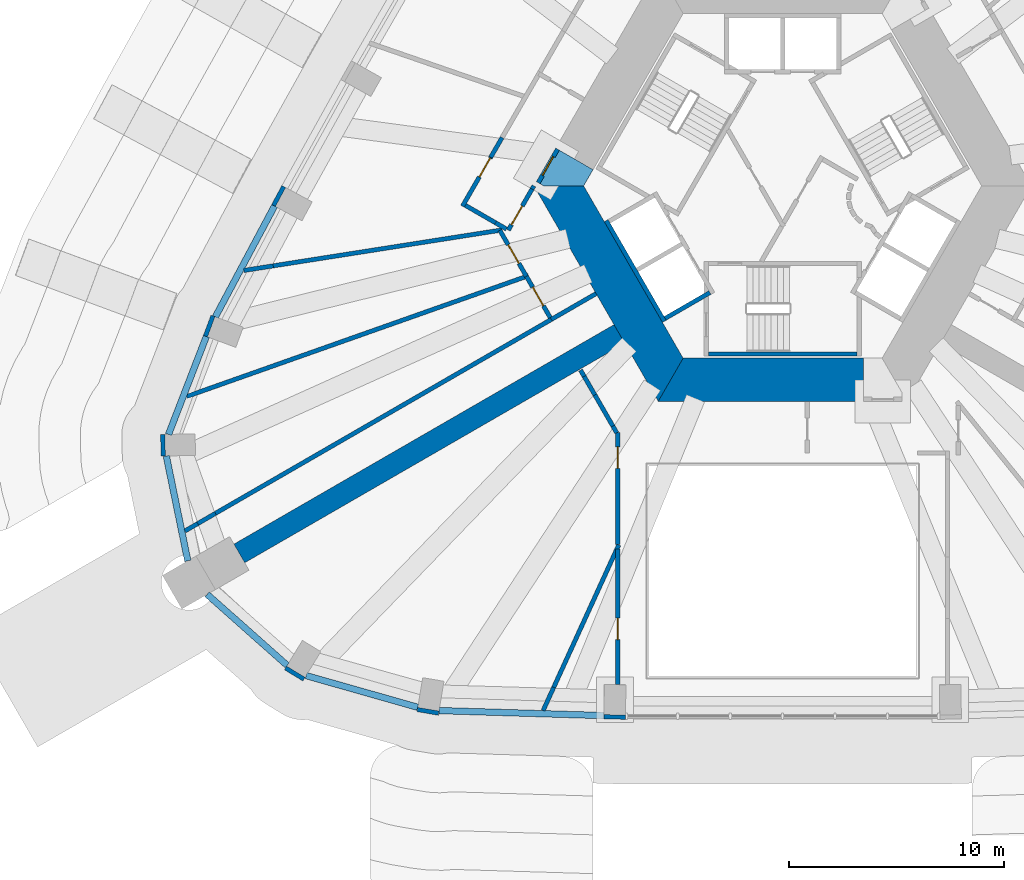
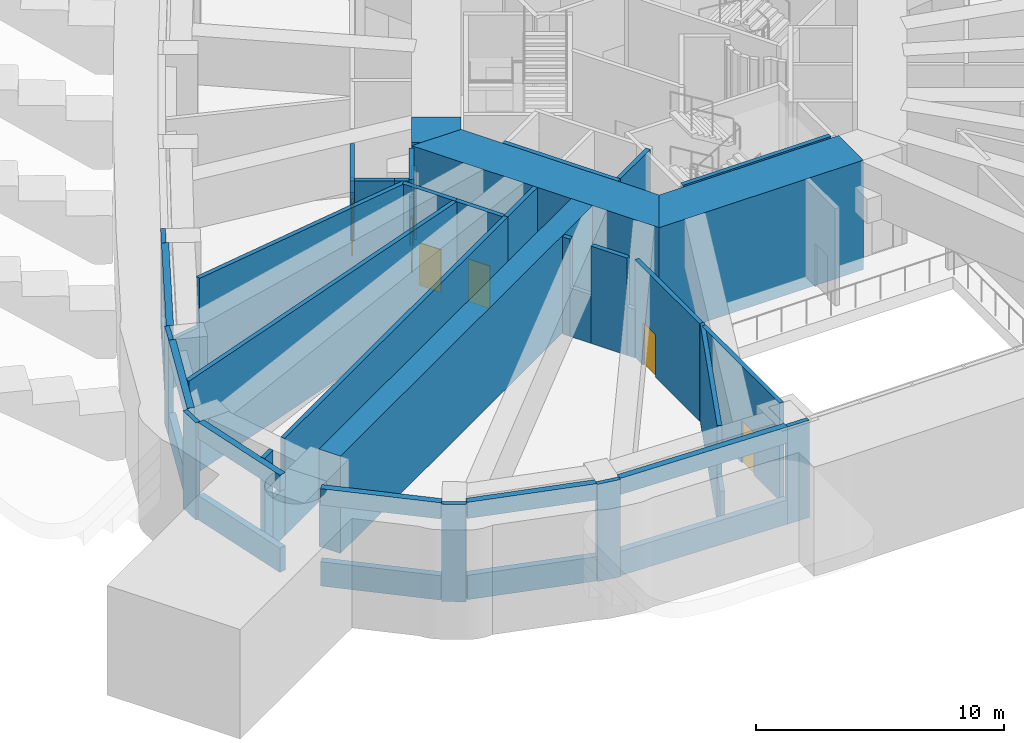
# One storey, part 4 of 16: 49 walls, 7 doors, 7 openings.
"""IFC4 building model written with IfcOpenShell, lengths in metres."""

from ifc_helpers import new_model, si_unit, direction, frame, frame_2d, origin, place, context, subcontext, project, spatial, polyline, rectangle, outline, extrude, material, layer, layer_set, type_object, element, fill, save


model = new_model("IFC4")

# Units and contexts
model_context = context("Model", 3, precision=1e-05, world=origin(), true_north=direction((0.0, 1.0)))
body_context = subcontext(model_context, "Body", "Model", "MODEL_VIEW")
ifc_project = project(units=[si_unit("LENGTHUNIT", "METRE"), si_unit("AREAUNIT", "SQUARE_METRE"), si_unit("VOLUMEUNIT", "CUBIC_METRE"), si_unit("PLANEANGLEUNIT", "RADIAN"), si_unit("MASSUNIT", "GRAM", prefix="KILO")], contexts=[model_context])

# Site, building, storey
site_placement = place(None, origin())
site = spatial("IfcSite", under=ifc_project, at=site_placement, CompositionType="ELEMENT")
building_placement = place(site_placement, origin())
building = spatial("IfcBuilding", under=site, at=building_placement, Name="Entoto Arch Interchange Tower", CompositionType="ELEMENT")
storey_placement = place(building_placement, frame((0.0, 0.0, 281.0)))
storey = spatial("IfcBuildingStorey", under=building, at=storey_placement, Name="L65", CompositionType="ELEMENT", Elevation=281.0)

# Wall, opening, door
ifc_material_1 = material(Name="Reinforced concrete C40/50", Category="concrete")
ifc_layer_1 = layer(ifc_material_1, 0.199951171875)
ifc_layer_set_1 = layer_set([ifc_layer_1], Name="Reinforced concrete C40/50")
wall_type_1 = type_object("IfcWallType", Name="CORE GAP INFILL WALL", PredefinedType="PARTITIONING", material=ifc_layer_set_1)
wall_1_placement = place(storey_placement, frame((-10.448974609375, 4.202880859375, 0.0), z_axis=(0.0, 0.0, 1.0), x_axis=(-0.499914839587, -0.866074565589, 0.0)))
wall_1 = element("IfcWall", 1, at=wall_1_placement, inside=storey, type_object=wall_type_1, Name="wall:L65:gap3", PredefinedType="PARTITIONING", context=body_context, shape_type="SweptSolid", body=[
    extrude(rectangle(XDim=1.794189453125, YDim=0.199951171875, at=frame_2d((0.89697265625, 0.0))), origin(), (0.0, 0.0, 1.0), 2.39990234375),
])
opening_1_placement = place(wall_1_placement, frame((0.39697265625, 0.0, 0.0)))
opening_1 = element("IfcOpeningElement", 2, at=opening_1_placement, cuts=wall_1, Name="Opening L65-D93", PredefinedType="OPENING", context=body_context, shape_type="SweptSolid", body=[
    extrude(rectangle(XDim=1.0, YDim=2.10009765625, at=frame_2d((0.5, 1.050048828125))), frame((0.0, 0.10986328125, 0.0), z_axis=(0.0, -1.0, 0.0), x_axis=(1.0, 0.0, 0.0)), (0.0, 0.0, 1.0), 0.219970703125),
])
ifc_material_2 = material(Name="Fire-rated Steel S235 door and frame", Category="steel")
door_type_1 = type_object("IfcDoorType", Name="DOOR FD-10 1000x2100", OperationType="SINGLE_SWING_LEFT", PredefinedType="DOOR", material=ifc_material_2)
door_1_placement = place(opening_1_placement, origin())
door_1 = element("IfcDoor", 3, at=door_1_placement, inside=storey, type_object=door_type_1, Name="door:L65:gap3", OperationType="SINGLE_SWING_LEFT", OverallHeight=2.10009765625, OverallWidth=1.0, PredefinedType="DOOR", context=body_context, shape_type="SweptSolid", body=[
    extrude(rectangle(XDim=1.0, YDim=2.10009765625, at=frame_2d((0.5, 1.050048828125))), frame((0.0, 0.02490234375, 0.0), z_axis=(0.0, -1.0, 0.0), x_axis=(1.0, 0.0, 0.0)), (0.0, 0.0, 1.0), 0.050048828125),
])
fill(opening_1, door_1)

# Walls
ifc_material_3 = material(Name="Concrete C40/50", Category="concrete")
ifc_layer_2 = layer(ifc_material_3, 2.0)
ifc_layer_set_2 = layer_set([ifc_layer_2], Name="Concrete C40/50")
wall_type_2 = type_object("IfcWallType", Name="Core wall 2000 C40/50", PredefinedType="SHEAR", material=ifc_layer_set_2)
wall_2_placement = place(storey_placement, frame((0.0, 0.0, 3.60009765625)))
element("IfcWall", 4, at=wall_2_placement, inside=storey, type_object=wall_type_2, Name="Core wall lintel NW L65", PredefinedType="SHEAR", context=body_context, shape_type="SweptSolid", body=[
    extrude(outline(polyline([(-11.431884765625, 2.698974609375), (-11.087890625, 2.5), (-9.238037109375, 2.5), (-8.802978515625, 3.2529296875), (-10.534912109375, 4.2529296875), (-11.431884765625, 2.698974609375)])), origin(), (0.0, 0.0, 1.0), 1.199951171875),
])
wall_3_placement = place(storey_placement, frame((0.0, 0.0, -0.60009765625)))
element("IfcWall", 5, at=wall_3_placement, inside=storey, type_object=wall_type_2, Name="Core wall SW L65", PredefinedType="SHEAR", context=body_context, shape_type="SweptSolid", body=[
    extrude(outline(polyline([(-11.547119140625, 2.5), (-5.77392578125, -7.5), (-4.618896484375, -5.5), (-9.238037109375, 2.5), (-11.547119140625, 2.5)])), origin(), (0.0, 0.0, 1.0), 5.400146484375),
])
wall_4_placement = place(storey_placement, frame((0.0, 0.0, -0.60009765625)))
element("IfcWall", 6, at=wall_4_placement, inside=storey, type_object=wall_type_2, Name="Core wall S L65", PredefinedType="SHEAR", context=body_context, shape_type="SweptSolid", body=[
    extrude(outline(polyline([(3.75, -7.5), (3.75, -5.5), (-4.618896484375, -5.5), (-5.77392578125, -7.5), (3.75, -7.5)])), origin(), (0.0, 0.0, 1.0), 5.400146484375),
])
ifc_layer_3 = layer(ifc_material_3, 0.199951171875)
ifc_layer_set_3 = layer_set([ifc_layer_3], Name="Concrete C40/50")
wall_type_3 = type_object("IfcWallType", Name="LIFT SHAFT WALL 200", PredefinedType="STANDARD", material=ifc_layer_set_3)
wall_5_placement = place(storey_placement, frame((-8.19189453125, 0.887939453125, 0.0), z_axis=(0.0, 0.0, 1.0), x_axis=(0.500034260056, -0.866005622828, 0.0)))
element("IfcWall", 7, at=wall_5_placement, inside=storey, type_object=wall_type_3, Name="Shaft wall SW1 back", PredefinedType="STANDARD", context=body_context, shape_type="SweptSolid", body=[
    extrude(rectangle(XDim=5.3994140625, YDim=0.199951171875, at=frame_2d((2.69970703125, 0.0))), origin(), (0.0, 0.0, 1.0), 4.800048828125),
])
wall_6_placement = place(storey_placement, frame((-3.376953125, -2.451904296875, 0.0), z_axis=(0.0, 0.0, 1.0), x_axis=(-0.865955154139, -0.50012165622, 0.0)))
element("IfcWall", 8, at=wall_6_placement, inside=storey, type_object=wall_type_3, Name="Shaft wall SW1 cross 3", PredefinedType="STANDARD", context=body_context, shape_type="SweptSolid", body=[
    extrude(rectangle(XDim=2.39990234375, YDim=0.199951171875, at=frame_2d((1.199951171875, 0.0))), origin(), (0.0, 0.0, 1.0), 4.800048828125),
])
ifc_layer_4 = layer(ifc_material_3, 1.0)
ifc_layer_set_4 = layer_set([ifc_layer_4], Name="Concrete C40/50")
wall_type_4 = type_object("IfcWallType", Name="Outrigger wall 1000 C40/50", PredefinedType="SHEAR", material=ifc_layer_set_4)
wall_7_placement = place(storey_placement, frame((-7.577880859375, -4.375, 0.0), z_axis=(0.0, 0.0, 1.0), x_axis=(-0.866020754303, -0.500008053052, 0.0)))
element("IfcWall", 9, at=wall_7_placement, inside=storey, type_object=wall_type_4, Name="Outrigger wall SW L65", PredefinedType="SHEAR", context=body_context, shape_type="SweptSolid", body=[
    extrude(rectangle(XDim=20.373779296875, YDim=1.0, at=frame_2d((10.18701171875, 0.0))), origin(), (0.0, 0.0, 1.0), 4.800048828125),
])

# Wall, opening, door
ifc_material_4 = material(Name="Gypsum board partition on steel studs", Category="steel")
ifc_layer_5 = layer(ifc_material_4, 0.199951171875)
ifc_layer_set_5 = layer_set([ifc_layer_5], Name="Gypsum board partition on steel studs")
wall_type_5 = type_object("IfcWallType", Name="PARTITION 200", PredefinedType="PARTITIONING", material=ifc_layer_set_5)
wall_8_placement = place(storey_placement, frame((-7.64990234375, -14.156982421875, 0.0), z_axis=(0.0, 0.0, 1.0), x_axis=(0.0, 1.0, 0.0)))
wall_8 = element("IfcWall", 10, at=wall_8_placement, inside=storey, type_object=wall_type_5, Name="wall:L65:p017", PredefinedType="PARTITIONING", context=body_context, shape_type="SweptSolid", body=[
    extrude(rectangle(XDim=5.2060546875, YDim=0.199951171875, at=frame_2d((2.60302734375, 0.0))), origin(), (0.0, 0.0, 1.0), 4.800048828125),
])
opening_2_placement = place(wall_8_placement, frame((3.5400390625, 0.0, 0.0)))
opening_2 = element("IfcOpeningElement", 11, at=opening_2_placement, cuts=wall_8, Name="Opening L65-D03", PredefinedType="OPENING", context=body_context, shape_type="SweptSolid", body=[
    extrude(rectangle(XDim=1.0, YDim=2.10009765625, at=frame_2d((0.5, 1.050048828125))), frame((0.0, 0.10986328125, 0.0), z_axis=(0.0, -1.0, 0.0), x_axis=(1.0, 0.0, 0.0)), (0.0, 0.0, 1.0), 0.219970703125),
])
door_2_placement = place(opening_2_placement, origin())
door_2 = element("IfcDoor", 12, at=door_2_placement, inside=storey, type_object=door_type_1, Name="door:L65:03", OperationType="SINGLE_SWING_RIGHT", OverallHeight=2.10009765625, OverallWidth=1.0, PredefinedType="DOOR", context=body_context, shape_type="SweptSolid", body=[
    extrude(rectangle(XDim=1.0, YDim=2.10009765625, at=frame_2d((0.5, 1.050048828125))), frame((0.0, 0.02490234375, 0.0), z_axis=(0.0, -1.0, 0.0), x_axis=(1.0, 0.0, 0.0)), (0.0, 0.0, 1.0), 0.050048828125),
])
fill(opening_2, door_2)

# Wall
wall_9_placement = place(storey_placement, frame((-7.699951171875, -8.965087890625, 0.0), z_axis=(0.0, 0.0, 1.0), x_axis=(-0.49946991135, 0.866331234376, 0.0)))
element("IfcWall", 13, at=wall_9_placement, inside=storey, type_object=wall_type_5, Name="wall:L65:p018", PredefinedType="PARTITIONING", context=body_context, shape_type="SweptSolid", body=[
    extrude(rectangle(XDim=0.36279296875, YDim=0.199951171875, at=frame_2d((0.181396484375, 0.0))), origin(), (0.0, 0.0, 1.0), 2.39990234375),
])

# Wall, opening, door
wall_10_placement = place(storey_placement, frame((-7.64990234375, -20.635986328125, 0.0), z_axis=(0.0, 0.0, 1.0), x_axis=(0.0, 1.0, 0.0)))
wall_10 = element("IfcWall", 14, at=wall_10_placement, inside=storey, type_object=wall_type_5, Name="wall:L65:p019", PredefinedType="PARTITIONING", context=body_context, shape_type="SweptSolid", body=[
    extrude(rectangle(XDim=6.279052734375, YDim=0.199951171875, at=frame_2d((3.1396484375, 0.0))), origin(), (0.0, 0.0, 1.0), 4.800048828125),
])
opening_3_placement = place(wall_10_placement, frame((2.076904296875, 0.0, 0.0)))
opening_3 = element("IfcOpeningElement", 15, at=opening_3_placement, cuts=wall_10, Name="Opening L65-D04", PredefinedType="OPENING", context=body_context, shape_type="SweptSolid", body=[
    extrude(rectangle(XDim=1.0, YDim=2.10009765625, at=frame_2d((0.5, 1.050048828125))), frame((0.0, 0.10986328125, 0.0), z_axis=(0.0, -1.0, 0.0), x_axis=(1.0, 0.0, 0.0)), (0.0, 0.0, 1.0), 0.219970703125),
])
ifc_material_5 = material(Name="Timber door leaf in Steel S235 frame", Category="steel")
door_type_2 = type_object("IfcDoorType", Name="DOOR DS-10 1000x2100", OperationType="SINGLE_SWING_LEFT", PredefinedType="DOOR", material=ifc_material_5)
door_3_placement = place(opening_3_placement, origin())
door_3 = element("IfcDoor", 16, at=door_3_placement, inside=storey, type_object=door_type_2, Name="door:L65:04", OperationType="SINGLE_SWING_LEFT", OverallHeight=2.10009765625, OverallWidth=1.0, PredefinedType="DOOR", context=body_context, shape_type="SweptSolid", body=[
    extrude(rectangle(XDim=1.0, YDim=2.10009765625, at=frame_2d((0.5, 1.050048828125))), frame((0.0, 0.02490234375, 0.0), z_axis=(0.0, -1.0, 0.0), x_axis=(1.0, 0.0, 0.0)), (0.0, 0.0, 1.0), 0.050048828125),
])
fill(opening_3, door_3)

# Walls
wall_11_placement = place(storey_placement, frame((-7.60791015625, -14.166015625, 0.0), z_axis=(0.0, 0.0, 1.0), x_axis=(-0.415367833022, -0.909653540251, 0.0)))
element("IfcWall", 17, at=wall_11_placement, inside=storey, type_object=wall_type_5, Name="wall:L65:p021", PredefinedType="PARTITIONING", context=body_context, shape_type="SweptSolid", body=[
    extrude(rectangle(XDim=7.27294921875, YDim=0.199951171875, at=frame_2d((3.636474609375, 0.0))), origin(), (0.0, 0.0, 1.0), 4.800048828125),
])
wall_12_placement = place(storey_placement, frame((-8.659912109375, -2.5, 0.0), z_axis=(0.0, 0.0, 1.0), x_axis=(-0.866100915363, -0.499869187296, 0.0)))
element("IfcWall", 18, at=wall_12_placement, inside=storey, type_object=wall_type_5, Name="wall:L65:p022", PredefinedType="PARTITIONING", context=body_context, shape_type="SweptSolid", body=[
    extrude(rectangle(XDim=2.400634765625, YDim=0.199951171875, at=frame_2d((1.2001953125, 0.0))), origin(), (0.0, 0.0, 1.0), 4.800048828125),
])
wall_13_placement = place(storey_placement, frame((-27.743896484375, -13.51806640625, 0.0), z_axis=(0.0, 0.0, 1.0), x_axis=(0.866316887664, 0.499494794916, 0.0)))
element("IfcWall", 19, at=wall_13_placement, inside=storey, type_object=wall_type_5, Name="wall:L65:p023", PredefinedType="PARTITIONING", context=body_context, shape_type="SweptSolid", body=[
    extrude(rectangle(XDim=0.680908203125, YDim=0.199951171875, at=frame_2d((0.34033203125, 0.0))), origin(), (0.0, 0.0, 1.0), 4.800048828125),
])
wall_14_placement = place(storey_placement, frame((-13.3310546875, 0.7890625, 0.0), z_axis=(0.0, 0.0, 1.0), x_axis=(0.866399552997, -0.499351393877, 0.0)))
element("IfcWall", 20, at=wall_14_placement, inside=storey, type_object=wall_type_5, Name="wall:L65:p043", PredefinedType="PARTITIONING", context=body_context, shape_type="SweptSolid", body=[
    extrude(rectangle(XDim=0.588623046875, YDim=0.199951171875, at=frame_2d((0.29443359375, 0.0))), origin(), (0.0, 0.0, 1.0), 4.800048828125),
])

# Wall, opening, door
wall_15_placement = place(storey_placement, frame((-12.73388671875, 0.445068359375, 0.0), z_axis=(0.0, 0.0, 1.0), x_axis=(0.500083740326, 0.865977050886, 0.0)))
wall_15 = element("IfcWall", 21, at=wall_15_placement, inside=storey, type_object=wall_type_5, Name="wall:L65:p044", PredefinedType="PARTITIONING", context=body_context, shape_type="SweptSolid", body=[
    extrude(rectangle(XDim=2.203125, YDim=0.199951171875, at=frame_2d((1.1015625, 0.0))), origin(), (0.0, 0.0, 1.0), 4.800048828125),
])
opening_4_placement = place(wall_15_placement, frame((0.2919921875, 0.0, 0.0)))
opening_4 = element("IfcOpeningElement", 22, at=opening_4_placement, cuts=wall_15, Name="Opening L65-D13", PredefinedType="OPENING", context=body_context, shape_type="SweptSolid", body=[
    extrude(rectangle(XDim=1.0, YDim=2.10009765625, at=frame_2d((0.5, 1.050048828125))), frame((0.0, 0.10986328125, 0.0), z_axis=(0.0, -1.0, 0.0), x_axis=(1.0, 0.0, 0.0)), (0.0, 0.0, 1.0), 0.219970703125),
])
door_4_placement = place(opening_4_placement, origin())
door_4 = element("IfcDoor", 23, at=door_4_placement, inside=storey, type_object=door_type_1, Name="door:L65:13", OperationType="SINGLE_SWING_RIGHT", OverallHeight=2.10009765625, OverallWidth=1.0, PredefinedType="DOOR", context=body_context, shape_type="SweptSolid", body=[
    extrude(rectangle(XDim=1.0, YDim=2.10009765625, at=frame_2d((0.5, 1.050048828125))), frame((0.0, 0.02490234375, 0.0), z_axis=(0.0, -1.0, 0.0), x_axis=(1.0, 0.0, 0.0)), (0.0, 0.0, 1.0), 0.050048828125),
])
fill(opening_4, door_4)

wall_16_placement = place(storey_placement, frame((-14.862060546875, 1.55810546875, 0.0), z_axis=(0.0, 0.0, 1.0), x_axis=(0.499929606556, 0.866066041644, 0.0)))
wall_16 = element("IfcWall", 24, at=wall_16_placement, inside=storey, type_object=wall_type_5, Name="wall:L65:p045", PredefinedType="PARTITIONING", context=body_context, shape_type="SweptSolid", body=[
    extrude(rectangle(XDim=2.61865234375, YDim=0.199951171875, at=frame_2d((1.309326171875, 0.0))), origin(), (0.0, 0.0, 1.0), 4.800048828125),
])
opening_5_placement = place(wall_16_placement, frame((1.572998046875, 0.0, 0.0)))
opening_5 = element("IfcOpeningElement", 25, at=opening_5_placement, cuts=wall_16, Name="Opening L65-D14", PredefinedType="OPENING", context=body_context, shape_type="SweptSolid", body=[
    extrude(rectangle(XDim=1.0, YDim=2.10009765625, at=frame_2d((0.5, 1.050048828125))), frame((0.0, 0.10986328125, 0.0), z_axis=(0.0, -1.0, 0.0), x_axis=(1.0, 0.0, 0.0)), (0.0, 0.0, 1.0), 0.219970703125),
])
door_5_placement = place(opening_5_placement, origin())
door_5 = element("IfcDoor", 26, at=door_5_placement, inside=storey, type_object=door_type_1, Name="door:L65:14", OperationType="SINGLE_SWING_LEFT", OverallHeight=2.10009765625, OverallWidth=1.0, PredefinedType="DOOR", context=body_context, shape_type="SweptSolid", body=[
    extrude(rectangle(XDim=1.0, YDim=2.10009765625, at=frame_2d((0.5, 1.050048828125))), frame((0.0, 0.02490234375, 0.0), z_axis=(0.0, -1.0, 0.0), x_axis=(1.0, 0.0, 0.0)), (0.0, 0.0, 1.0), 0.050048828125),
])
fill(opening_5, door_5)

# Wall
wall_17_placement = place(storey_placement, frame((-13.3310546875, 0.7900390625, 0.0), z_axis=(0.0, 0.0, 1.0), x_axis=(-0.866003733444, 0.500037532253, 0.0)))
element("IfcWall", 27, at=wall_17_placement, inside=storey, type_object=wall_type_5, Name="wall:L65:p046", PredefinedType="PARTITIONING", context=body_context, shape_type="SweptSolid", body=[
    extrude(rectangle(XDim=1.60986328125, YDim=0.199951171875, at=frame_2d((0.804931640625, 0.0))), origin(), (0.0, 0.0, 1.0), 4.800048828125),
])

# Wall, opening, door
wall_18_placement = place(storey_placement, frame((-11.89306640625, -1.701904296875, 0.0), z_axis=(0.0, 0.0, 1.0), x_axis=(-0.499941887998, 0.866058952165, 0.0)))
wall_18 = element("IfcWall", 28, at=wall_18_placement, inside=storey, type_object=wall_type_5, Name="wall:L65:p049", PredefinedType="PARTITIONING", context=body_context, shape_type="SweptSolid", body=[
    extrude(rectangle(XDim=2.471923828125, YDim=0.199951171875, at=frame_2d((1.23583984375, 0.0))), origin(), (0.0, 0.0, 1.0), 4.800048828125),
])
opening_6_placement = place(wall_18_placement, frame((0.694091796875, 0.0, 0.0)))
opening_6 = element("IfcOpeningElement", 29, at=opening_6_placement, cuts=wall_18, Name="Opening L65-D16", PredefinedType="OPENING", context=body_context, shape_type="SweptSolid", body=[
    extrude(rectangle(XDim=1.0, YDim=2.10009765625, at=frame_2d((0.5, 1.050048828125))), frame((0.0, 0.10986328125, 0.0), z_axis=(0.0, -1.0, 0.0), x_axis=(1.0, 0.0, 0.0)), (0.0, 0.0, 1.0), 0.219970703125),
])
door_6_placement = place(opening_6_placement, origin())
door_6 = element("IfcDoor", 30, at=door_6_placement, inside=storey, type_object=door_type_1, Name="door:L65:16", OperationType="SINGLE_SWING_LEFT", OverallHeight=2.10009765625, OverallWidth=1.0, PredefinedType="DOOR", context=body_context, shape_type="SweptSolid", body=[
    extrude(rectangle(XDim=1.0, YDim=2.10009765625, at=frame_2d((0.5, 1.050048828125))), frame((0.0, 0.02490234375, 0.0), z_axis=(0.0, -1.0, 0.0), x_axis=(1.0, 0.0, 0.0)), (0.0, 0.0, 1.0), 0.050048828125),
])
fill(opening_6, door_6)

wall_19_placement = place(storey_placement, frame((-10.7890625, -3.613037109375, 0.0), z_axis=(0.0, 0.0, 1.0), x_axis=(-0.500207565094, 0.865905532852, 0.0)))
wall_19 = element("IfcWall", 31, at=wall_19_placement, inside=storey, type_object=wall_type_5, Name="wall:L65:p050", PredefinedType="PARTITIONING", context=body_context, shape_type="SweptSolid", body=[
    extrude(rectangle(XDim=2.20703125, YDim=0.199951171875, at=frame_2d((1.103515625, 0.0))), origin(), (0.0, 0.0, 1.0), 4.800048828125),
])
opening_7_placement = place(wall_19_placement, frame((0.6279296875, 0.0, 0.0)))
opening_7 = element("IfcOpeningElement", 32, at=opening_7_placement, cuts=wall_19, Name="Opening L65-D17", PredefinedType="OPENING", context=body_context, shape_type="SweptSolid", body=[
    extrude(rectangle(XDim=1.0, YDim=2.10009765625, at=frame_2d((0.5, 1.050048828125))), frame((0.0, 0.10986328125, 0.0), z_axis=(0.0, -1.0, 0.0), x_axis=(1.0, 0.0, 0.0)), (0.0, 0.0, 1.0), 0.219970703125),
])
door_7_placement = place(opening_7_placement, origin())
door_7 = element("IfcDoor", 33, at=door_7_placement, inside=storey, type_object=door_type_2, Name="door:L65:17", OperationType="SINGLE_SWING_RIGHT", OverallHeight=2.10009765625, OverallWidth=1.0, PredefinedType="DOOR", context=body_context, shape_type="SweptSolid", body=[
    extrude(rectangle(XDim=1.0, YDim=2.10009765625, at=frame_2d((0.5, 1.050048828125))), frame((0.0, 0.02490234375, 0.0), z_axis=(0.0, -1.0, 0.0), x_axis=(1.0, 0.0, 0.0)), (0.0, 0.0, 1.0), 0.050048828125),
])
fill(opening_7, door_7)

# Walls
wall_20_placement = place(storey_placement, frame((-13.030029296875, 0.4541015625, 0.0), z_axis=(0.0, 0.0, 1.0), x_axis=(-0.987908611797, -0.155037333369, 0.0)))
element("IfcWall", 34, at=wall_20_placement, inside=storey, type_object=wall_type_5, Name="wall:L65:p052", PredefinedType="PARTITIONING", context=body_context, shape_type="SweptSolid", body=[
    extrude(rectangle(XDim=10.745849609375, YDim=0.199951171875, at=frame_2d((5.373046875, 0.0))), origin(), (0.0, 0.0, 1.0), 4.800048828125),
])
wall_21_placement = place(storey_placement, frame((-11.798095703125, -1.6689453125, 0.0), z_axis=(0.0, 0.0, 1.0), x_axis=(-0.942869217573, -0.333163081018, 0.0)))
element("IfcWall", 35, at=wall_21_placement, inside=storey, type_object=wall_type_5, Name="wall:L65:p053", PredefinedType="PARTITIONING", context=body_context, shape_type="SweptSolid", body=[
    extrude(rectangle(XDim=16.829345703125, YDim=0.199951171875, at=frame_2d((8.41455078125, 0.0))), origin(), (0.0, 0.0, 1.0), 4.800048828125),
])
wall_22_placement = place(storey_placement, frame((-7.881103515625, -8.65087890625, 0.0), z_axis=(0.0, 0.0, 1.0), x_axis=(-0.499848974954, 0.866112580579, 0.0)))
element("IfcWall", 36, at=wall_22_placement, inside=storey, type_object=wall_type_5, Name="wall:L65:p018", PredefinedType="PARTITIONING", context=body_context, shape_type="SweptSolid", body=[
    extrude(rectangle(XDim=1.67041015625, YDim=0.199951171875, at=frame_2d((0.835205078125, 0.0))), origin(), (0.0, 0.0, 1.0), 4.800048828125),
])
wall_23_placement = place(storey_placement, frame((-8.716064453125, -7.2041015625, 0.0), z_axis=(0.0, 0.0, 1.0), x_axis=(-0.500183410155, 0.865919485983, 0.0)))
element("IfcWall", 37, at=wall_23_placement, inside=storey, type_object=wall_type_5, Name="wall:L65:p018", PredefinedType="PARTITIONING", context=body_context, shape_type="SweptSolid", body=[
    extrude(rectangle(XDim=0.993408203125, YDim=0.199951171875, at=frame_2d((0.49658203125, 0.0))), origin(), (0.0, 0.0, 1.0), 2.39990234375),
])
wall_24_placement = place(storey_placement, frame((-9.212890625, -6.343994140625, 0.0), z_axis=(0.0, 0.0, 1.0), x_axis=(-0.500097243556, 0.865969252911, 0.0)))
element("IfcWall", 38, at=wall_24_placement, inside=storey, type_object=wall_type_5, Name="wall:L65:p018", PredefinedType="PARTITIONING", context=body_context, shape_type="SweptSolid", body=[
    extrude(rectangle(XDim=0.33837890625, YDim=0.199951171875, at=frame_2d((0.169189453125, 0.0))), origin(), (0.0, 0.0, 1.0), 4.800048828125),
])
wall_25_placement = place(storey_placement, frame((-10.62890625, -20.781982421875, 0.0), z_axis=(0.0, 0.0, 1.0), x_axis=(-0.415333382395, -0.909669270377, 0.0)))
element("IfcWall", 39, at=wall_25_placement, inside=storey, type_object=wall_type_5, Name="wall:L65:p021", PredefinedType="PARTITIONING", context=body_context, shape_type="SweptSolid", body=[
    extrude(rectangle(XDim=1.177490234375, YDim=0.199951171875, at=frame_2d((0.5888671875, 0.0))), origin(), (0.0, 0.0, 1.0), 2.39990234375),
])
wall_26_placement = place(storey_placement, frame((-27.154052734375, -13.177978515625, 0.0), z_axis=(0.0, 0.0, 1.0), x_axis=(0.865607892982, 0.500722453668, 0.0)))
element("IfcWall", 40, at=wall_26_placement, inside=storey, type_object=wall_type_5, Name="wall:L65:p023", PredefinedType="PARTITIONING", context=body_context, shape_type="SweptSolid", body=[
    extrude(rectangle(XDim=0.95068359375, YDim=0.199951171875, at=frame_2d((0.475341796875, 0.0))), origin(), (0.0, 0.0, 1.0), 2.39990234375),
])
wall_27_placement = place(storey_placement, frame((-26.3310546875, -12.701904296875, 0.0), z_axis=(0.0, 0.0, 1.0), x_axis=(0.866028192525, 0.499995169729, 0.0)))
element("IfcWall", 41, at=wall_27_placement, inside=storey, type_object=wall_type_5, Name="wall:L65:p023", PredefinedType="PARTITIONING", context=body_context, shape_type="SweptSolid", body=[
    extrude(rectangle(XDim=18.004150390625, YDim=0.199951171875, at=frame_2d((9.001953125, 0.0))), origin(), (0.0, 0.0, 1.0), 4.800048828125),
])
wall_28_placement = place(storey_placement, frame((-11.632080078125, 2.35302734375, 0.0), z_axis=(0.0, 0.0, 1.0), x_axis=(0.5004692653, 0.865754303766, 0.0)))
element("IfcWall", 42, at=wall_28_placement, inside=storey, type_object=wall_type_5, Name="wall:L65:p044", PredefinedType="PARTITIONING", context=body_context, shape_type="SweptSolid", body=[
    extrude(rectangle(XDim=0.169677734375, YDim=0.199951171875, at=frame_2d((0.0849609375, 0.0))), origin(), (0.0, 0.0, 1.0), 2.39990234375),
])
wall_29_placement = place(storey_placement, frame((-13.552978515625, 3.825927734375, 0.0), z_axis=(0.0, 0.0, 1.0), x_axis=(0.500242919407, 0.865885108766, 0.0)))
element("IfcWall", 43, at=wall_29_placement, inside=storey, type_object=wall_type_5, Name="wall:L65:p045", PredefinedType="PARTITIONING", context=body_context, shape_type="SweptSolid", body=[
    extrude(rectangle(XDim=1.0556640625, YDim=0.199951171875, at=frame_2d((0.52783203125, 0.0))), origin(), (0.0, 0.0, 1.0), 2.39990234375),
])
wall_30_placement = place(storey_placement, frame((-23.64599609375, -1.2119140625, 0.0), z_axis=(0.0, 0.0, 1.0), x_axis=(-0.987862829639, -0.155328779745, 0.0)))
element("IfcWall", 44, at=wall_30_placement, inside=storey, type_object=wall_type_5, Name="wall:L65:p052", PredefinedType="PARTITIONING", context=body_context, shape_type="SweptSolid", body=[
    extrude(rectangle(XDim=1.384765625, YDim=0.199951171875, at=frame_2d((0.6923828125, 0.0))), origin(), (0.0, 0.0, 1.0), 2.39990234375),
])
ifc_material_6 = material(Name="Board-marked precast concrete C50/60", Category="concrete")
ifc_layer_6 = layer(ifc_material_6, 0.199951171875)
ifc_layer_set_6 = layer_set([ifc_layer_6], Name="Board-marked precast concrete C50/60")
wall_type_6 = type_object("IfcWallType", Name="PRECAST FRAME WALL 200", PredefinedType="STANDARD", material=ifc_layer_set_6)
wall_31_placement = place(storey_placement, frame((-23.159912109375, 2.468994140625, 0.0), z_axis=(0.0, 0.0, 1.0), x_axis=(-0.473852444207, -0.880604259085, 0.0)))
element("IfcWall", 45, at=wall_31_placement, inside=storey, type_object=wall_type_6, Name="Frame pier NW05 L65", PredefinedType="STANDARD", context=body_context, shape_type="SweptSolid", body=[
    extrude(rectangle(XDim=1.00048828125, YDim=0.199951171875, at=frame_2d((0.500244140625, 0.0))), origin(), (0.0, 0.0, 1.0), 4.800048828125),
])
wall_32_placement = place(storey_placement, frame((-26.446044921875, -3.5390625, 0.0), z_axis=(0.0, 0.0, 1.0), x_axis=(-0.346892928577, -0.937904737222, 0.0)))
element("IfcWall", 46, at=wall_32_placement, inside=storey, type_object=wall_type_6, Name="Frame pier NW06 L65", PredefinedType="STANDARD", context=body_context, shape_type="SweptSolid", body=[
    extrude(rectangle(XDim=1.0, YDim=0.199951171875, at=frame_2d((0.5, 0.0))), origin(), (0.0, 0.0, 1.0), 4.800048828125),
])
for number, where, z_axis, x_axis, name in (
    (47, (-16.9560546875, -21.80908203125, 0.0), (0.0, 0.0, 1.0), (0.985961725342, -0.166971483074, 0.0), "Frame pier S01 L65"),
    (48, (-8.298095703125, -22.14501953125, 0.0), (0.0, 0.0, 1.0), (0.999836842422, -0.018063458579, 0.0), "Frame pier S02 L65"),
):
    element("IfcWall", number, at=place(storey_placement, frame(where, z_axis=z_axis, x_axis=x_axis)), inside=storey, type_object=wall_type_6, Name=name, PredefinedType="STANDARD", context=body_context, shape_type="SweptSolid", body=[
        extrude(rectangle(XDim=1.000244140625, YDim=0.199951171875, at=frame_2d((0.5, 0.0))), origin(), (0.0, 0.0, 1.0), 4.800048828125),
    ])
wall_33_placement = place(storey_placement, frame((-28.777099609375, -9.0439453125, 0.0), z_axis=(0.0, 0.0, 1.0), x_axis=(0.024186470916, -0.999707464524, 0.0)))
element("IfcWall", 49, at=wall_33_placement, inside=storey, type_object=wall_type_6, Name="Frame pier SW1 L65", PredefinedType="STANDARD", context=body_context, shape_type="SweptSolid", body=[
    extrude(rectangle(XDim=0.999267578125, YDim=0.199951171875, at=frame_2d((0.49951171875, 0.0))), origin(), (0.0, 0.0, 1.0), 4.800048828125),
])
wall_34_placement = place(storey_placement, frame((-23.074951171875, -19.87890625, 0.0), z_axis=(0.0, 0.0, 1.0), x_axis=(0.853679739553, -0.520798331677, 0.0)))
element("IfcWall", 50, at=wall_34_placement, inside=storey, type_object=wall_type_6, Name="Frame pier SW3 L65", PredefinedType="STANDARD", context=body_context, shape_type="SweptSolid", body=[
    extrude(rectangle(XDim=1.00048828125, YDim=0.199951171875, at=frame_2d((0.500244140625, 0.0))), origin(), (0.0, 0.0, 1.0), 4.800048828125),
])
ifc_layer_7 = layer(ifc_material_6, 0.300048828125)
ifc_layer_set_7 = layer_set([ifc_layer_7], Name="Board-marked precast concrete C50/60")
wall_type_7 = type_object("IfcWallType", Name="PRECAST FRAME WALL 300", PredefinedType="STANDARD", material=ifc_layer_set_7)
wall_35_placement = place(storey_placement, frame((-15.950927734375, -21.85693359375, 0.0), z_axis=(0.0, 0.0, 1.0), x_axis=(0.999540359891, -0.030316149968, 0.0)))
element("IfcWall", 51, at=wall_35_placement, inside=storey, type_object=wall_type_7, Name="Frame sill wall S-01 L65", PredefinedType="STANDARD", context=body_context, shape_type="SweptSolid", body=[
    extrude(rectangle(XDim=7.658447265625, YDim=0.300048828125, at=frame_2d((3.8291015625, 0.0))), origin(), (0.0, 0.0, 1.0), 1.199951171875),
])
wall_36_placement = place(storey_placement, frame((-15.950927734375, -21.85693359375, 4.0), z_axis=(0.0, 0.0, 1.0), x_axis=(0.999540359891, -0.030316149968, 0.0)))
element("IfcWall", 52, at=wall_36_placement, inside=storey, type_object=wall_type_7, Name="Frame head wall S-01 L65", PredefinedType="STANDARD", context=body_context, shape_type="SweptSolid", body=[
    extrude(rectangle(XDim=7.658447265625, YDim=0.300048828125, at=frame_2d((3.8291015625, 0.0))), origin(), (0.0, 0.0, 1.0), 0.800048828125),
])
wall_37_placement = place(storey_placement, frame((-23.587890625, 1.56494140625, 0.0), z_axis=(0.0, 0.0, 1.0), x_axis=(-0.470796778214, -0.882241686628, 0.0)))
element("IfcWall", 53, at=wall_37_placement, inside=storey, type_object=wall_type_7, Name="Frame sill wall NW-05 L65", PredefinedType="STANDARD", context=body_context, shape_type="SweptSolid", body=[
    extrude(rectangle(XDim=5.832763671875, YDim=0.300048828125, at=frame_2d((2.91650390625, 0.0))), origin(), (0.0, 0.0, 1.0), 1.199951171875),
])
wall_38_placement = place(storey_placement, frame((-23.587890625, 1.56494140625, 4.0), z_axis=(0.0, 0.0, 1.0), x_axis=(-0.470796778214, -0.882241686628, 0.0)))
element("IfcWall", 54, at=wall_38_placement, inside=storey, type_object=wall_type_7, Name="Frame head wall NW-05 L65", PredefinedType="STANDARD", context=body_context, shape_type="SweptSolid", body=[
    extrude(rectangle(XDim=5.832763671875, YDim=0.300048828125, at=frame_2d((2.91650390625, 0.0))), origin(), (0.0, 0.0, 1.0), 0.800048828125),
])
wall_39_placement = place(storey_placement, frame((-26.751953125, -4.490966796875, 0.0), z_axis=(0.0, 0.0, 1.0), x_axis=(-0.360267544186, -0.932849021335, 0.0)))
element("IfcWall", 55, at=wall_39_placement, inside=storey, type_object=wall_type_7, Name="Frame sill wall SW-01 L65", PredefinedType="STANDARD", context=body_context, shape_type="SweptSolid", body=[
    extrude(rectangle(XDim=4.87451171875, YDim=0.300048828125, at=frame_2d((2.437255859375, 0.0))), origin(), (0.0, 0.0, 1.0), 1.199951171875),
])
wall_40_placement = place(storey_placement, frame((-26.751953125, -4.490966796875, 4.0), z_axis=(0.0, 0.0, 1.0), x_axis=(-0.360267544186, -0.932849021335, 0.0)))
element("IfcWall", 56, at=wall_40_placement, inside=storey, type_object=wall_type_7, Name="Frame head wall SW-01 L65", PredefinedType="STANDARD", context=body_context, shape_type="SweptSolid", body=[
    extrude(rectangle(XDim=4.87451171875, YDim=0.300048828125, at=frame_2d((2.437255859375, 0.0))), origin(), (0.0, 0.0, 1.0), 0.800048828125),
])
wall_41_placement = place(storey_placement, frame((-28.611083984375, -10.0390625, 0.0), z_axis=(0.0, 0.0, 1.0), x_axis=(0.200924793816, -0.979606669654, 0.0)))
element("IfcWall", 57, at=wall_41_placement, inside=storey, type_object=wall_type_7, Name="Frame sill wall SW-02 L65", PredefinedType="STANDARD", context=body_context, shape_type="SweptSolid", body=[
    extrude(rectangle(XDim=4.96728515625, YDim=0.300048828125, at=frame_2d((2.483642578125, 0.0))), origin(), (0.0, 0.0, 1.0), 1.199951171875),
])
wall_42_placement = place(storey_placement, frame((-28.611083984375, -10.0390625, 4.0), z_axis=(0.0, 0.0, 1.0), x_axis=(0.200924793816, -0.979606669654, 0.0)))
element("IfcWall", 58, at=wall_42_placement, inside=storey, type_object=wall_type_7, Name="Frame head wall SW-02 L65", PredefinedType="STANDARD", context=body_context, shape_type="SweptSolid", body=[
    extrude(rectangle(XDim=4.96728515625, YDim=0.300048828125, at=frame_2d((2.483642578125, 0.0))), origin(), (0.0, 0.0, 1.0), 0.800048828125),
])
wall_43_placement = place(storey_placement, frame((-26.714111328125, -16.4619140625, 0.0), z_axis=(0.0, 0.0, 1.0), x_axis=(0.747938022937, -0.663768569492, 0.0)))
element("IfcWall", 59, at=wall_43_placement, inside=storey, type_object=wall_type_7, Name="Frame sill wall SW-03 L65", PredefinedType="STANDARD", context=body_context, shape_type="SweptSolid", body=[
    extrude(rectangle(XDim=4.9658203125, YDim=0.300048828125, at=frame_2d((2.48291015625, 0.0))), origin(), (0.0, 0.0, 1.0), 1.199951171875),
])
wall_44_placement = place(storey_placement, frame((-26.714111328125, -16.4619140625, 4.0), z_axis=(0.0, 0.0, 1.0), x_axis=(0.747938022937, -0.663768569492, 0.0)))
element("IfcWall", 60, at=wall_44_placement, inside=storey, type_object=wall_type_7, Name="Frame head wall SW-03 L65", PredefinedType="STANDARD", context=body_context, shape_type="SweptSolid", body=[
    extrude(rectangle(XDim=4.9658203125, YDim=0.300048828125, at=frame_2d((2.48291015625, 0.0))), origin(), (0.0, 0.0, 1.0), 0.800048828125),
])
wall_45_placement = place(storey_placement, frame((-22.1201171875, -20.23388671875, 0.0), z_axis=(0.0, 0.0, 1.0), x_axis=(0.961984350903, -0.27310457451, 0.0)))
element("IfcWall", 61, at=wall_45_placement, inside=storey, type_object=wall_type_7, Name="Frame sill wall SW-04 L65", PredefinedType="STANDARD", context=body_context, shape_type="SweptSolid", body=[
    extrude(rectangle(XDim=5.386962890625, YDim=0.300048828125, at=frame_2d((2.693359375, 0.0))), origin(), (0.0, 0.0, 1.0), 1.199951171875),
])
wall_46_placement = place(storey_placement, frame((-22.1201171875, -20.23388671875, 4.0), z_axis=(0.0, 0.0, 1.0), x_axis=(0.961984350903, -0.27310457451, 0.0)))
element("IfcWall", 62, at=wall_46_placement, inside=storey, type_object=wall_type_7, Name="Frame head wall SW-04 L65", PredefinedType="STANDARD", context=body_context, shape_type="SweptSolid", body=[
    extrude(rectangle(XDim=5.386962890625, YDim=0.300048828125, at=frame_2d((2.693359375, 0.0))), origin(), (0.0, 0.0, 1.0), 0.800048828125),
])
ifc_layer_8 = layer(ifc_material_3, 0.199951171875)
ifc_layer_set_8 = layer_set([ifc_layer_8], Name="Concrete C40/50")
wall_type_8 = type_object("IfcWallType", Name="STAIR ENCLOSURE WALL 200", PredefinedType="STANDARD", material=ifc_layer_set_8)
wall_47_placement = place(storey_placement, frame((-3.449951171875, -5.300048828125, 0.0), z_axis=(0.0, 0.0, 1.0), x_axis=(1.0, 0.0, 0.0)))
element("IfcWall", 63, at=wall_47_placement, inside=storey, type_object=wall_type_8, Name="Stair wall ST-S back", PredefinedType="STANDARD", context=body_context, shape_type="SweptSolid", body=[
    extrude(rectangle(XDim=6.89990234375, YDim=0.199951171875, at=frame_2d((3.449951171875, 0.0))), origin(), (0.0, 0.0, 1.0), 4.800048828125),
])

save(model, "model.ifc")
